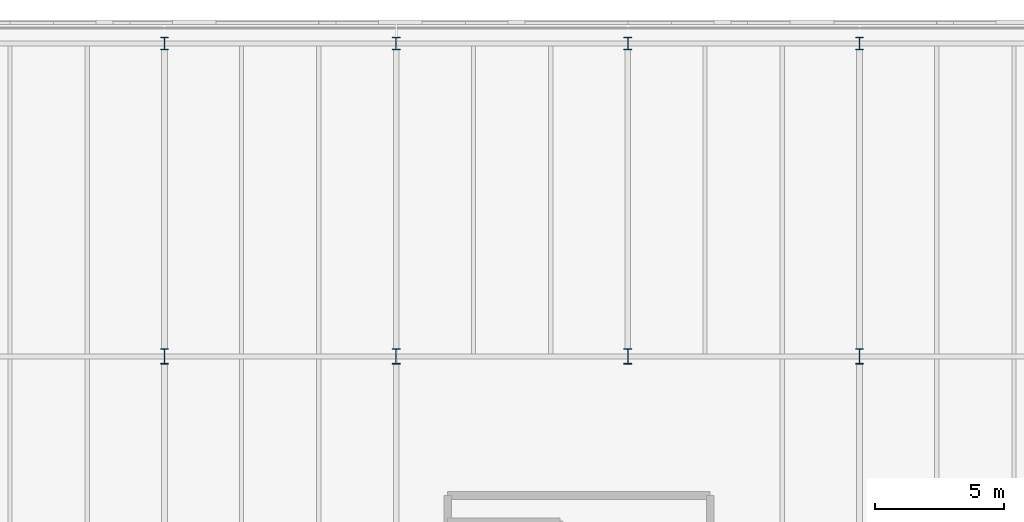
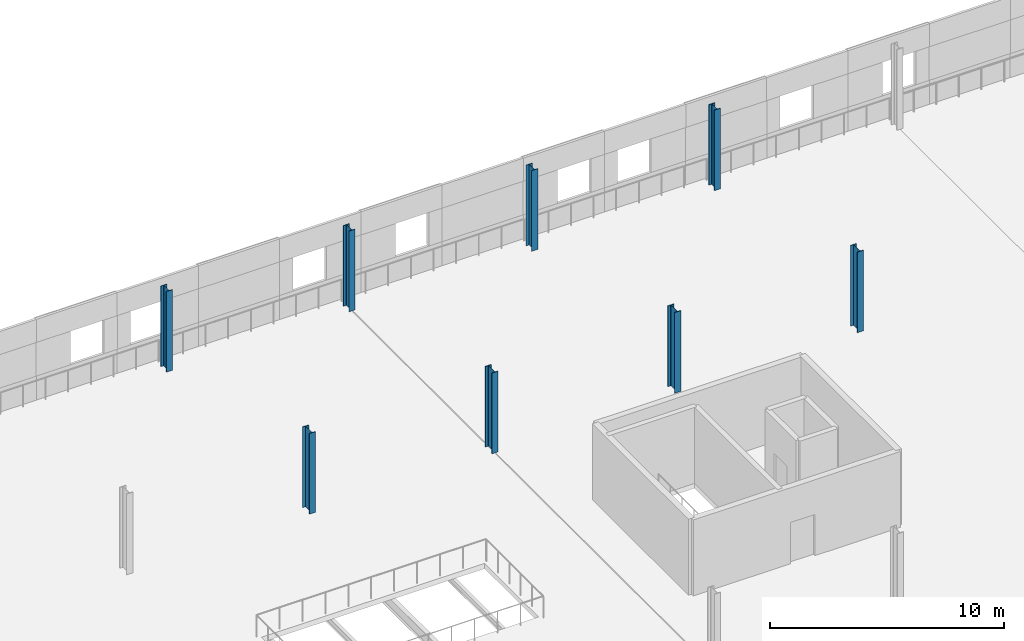
# One storey, part 6 of 88: 8 columns.
"""IFC4 building model written with IfcOpenShell, lengths in metres."""

from ifc_helpers import new_model, si_unit, direction, frame, origin, origin_2d, place, context, subcontext, project, spatial, i_section, extrude, material, material_profile, profile_set, type_object, element, save


model = new_model("IFC4")

# Units and contexts
model_context = context("Model", 3, precision=1e-05, world=origin(), true_north=direction((0.0, 1.0)))
body_context = subcontext(model_context, "Body", "Model", "MODEL_VIEW")
ifc_project = project(units=[si_unit("LENGTHUNIT", "METRE"), si_unit("AREAUNIT", "SQUARE_METRE"), si_unit("VOLUMEUNIT", "CUBIC_METRE"), si_unit("PLANEANGLEUNIT", "RADIAN"), si_unit("MASSUNIT", "GRAM", prefix="KILO")], contexts=[model_context])

# Site, building, storey
site_placement = place(None, origin())
site = spatial("IfcSite", under=ifc_project, at=site_placement, CompositionType="ELEMENT")
building_placement = place(site_placement, origin())
building = spatial("IfcBuilding", under=site, at=building_placement, Name="Deido Ridge Mobility Hub", CompositionType="ELEMENT")
storey_placement = place(building_placement, frame((0.0, 0.0, 16.800048828125)))
storey = spatial("IfcBuildingStorey", under=building, at=storey_placement, Name="L04", CompositionType="ELEMENT", Elevation=16.800048828125)

# Columns
ifc_material = material(Name="Steel S355J2 EN 10025-2", Category="steel")
ifc_material_profile_1 = material_profile(ifc_material, i_section(OverallWidth=0.300048828125, OverallDepth=0.5, WebThickness=0.014404296875, FlangeThickness=0.028076171875, FilletRadius=0.027099609375, at=origin_2d()), Name="HEB 500")
ifc_profile_set_1 = profile_set([ifc_material_profile_1], Name="Steel S355J2 EN 10025-2")
column_type_1 = type_object("IfcColumnType", Name="COL-HEB500", PredefinedType="COLUMN", material=ifc_profile_set_1)
for number, where, z_axis, x_axis, name in (
    (1, (63.0, 125.14990234375, 0.0), (0.0, 0.0, 1.0), (1.0, 0.0, 0.0), "Structural column C5"),
    (2, (72.0, 125.14990234375, 0.0), (0.0, 0.0, 1.0), (1.0, 0.0, 0.0), "Structural column C5"),
    (3, (81.0, 125.14990234375, 0.0), (0.0, 0.0, 1.0), (1.0, 0.0, 0.0), "Structural column C5"),
    (4, (90.0, 125.14990234375, 0.0), (0.0, 0.0, 1.0), (1.0, 0.0, 0.0), "Structural column C5"),
):
    element("IfcColumn", number, at=place(storey_placement, frame(where, z_axis=z_axis, x_axis=x_axis)), inside=storey, type_object=column_type_1, Name=name, PredefinedType="COLUMN", context=body_context, shape_type="SweptSolid", body=[
        extrude(i_section(OverallWidth=0.300048828125, OverallDepth=0.5, WebThickness=0.014404296875, FlangeThickness=0.028076171875, FilletRadius=0.027099609375, at=origin_2d()), origin(), (0.0, 0.0, 1.0), 4.199951171875),
    ])
ifc_material_profile_2 = material_profile(ifc_material, i_section(OverallWidth=0.300048828125, OverallDepth=0.60009765625, WebThickness=0.015380859375, FlangeThickness=0.030029296875, FilletRadius=0.027099609375, at=origin_2d()), Name="HEB 600")
ifc_profile_set_2 = profile_set([ifc_material_profile_2], Name="Steel S355J2 EN 10025-2")
column_type_2 = type_object("IfcColumnType", Name="COL-HEB600", PredefinedType="COLUMN", material=ifc_profile_set_2)
for number, where, z_axis, x_axis, name in (
    (5, (63.0, 113.0, 0.0), (0.0, 0.0, 1.0), (1.0, 0.0, 0.0), "Structural column C4"),
    (6, (72.0, 113.0, 0.0), (0.0, 0.0, 1.0), (1.0, 0.0, 0.0), "Structural column C4"),
    (7, (81.0, 113.0, 0.0), (0.0, 0.0, 1.0), (1.0, 0.0, 0.0), "Structural column C4"),
    (8, (90.0, 113.0, 0.0), (0.0, 0.0, 1.0), (1.0, 0.0, 0.0), "Structural column C4"),
):
    element("IfcColumn", number, at=place(storey_placement, frame(where, z_axis=z_axis, x_axis=x_axis)), inside=storey, type_object=column_type_2, Name=name, PredefinedType="COLUMN", context=body_context, shape_type="SweptSolid", body=[
        extrude(i_section(OverallWidth=0.300048828125, OverallDepth=0.60009765625, WebThickness=0.015380859375, FlangeThickness=0.030029296875, FilletRadius=0.027099609375, at=origin_2d()), origin(), (0.0, 0.0, 1.0), 4.199951171875),
    ])

save(model, "model.ifc")
